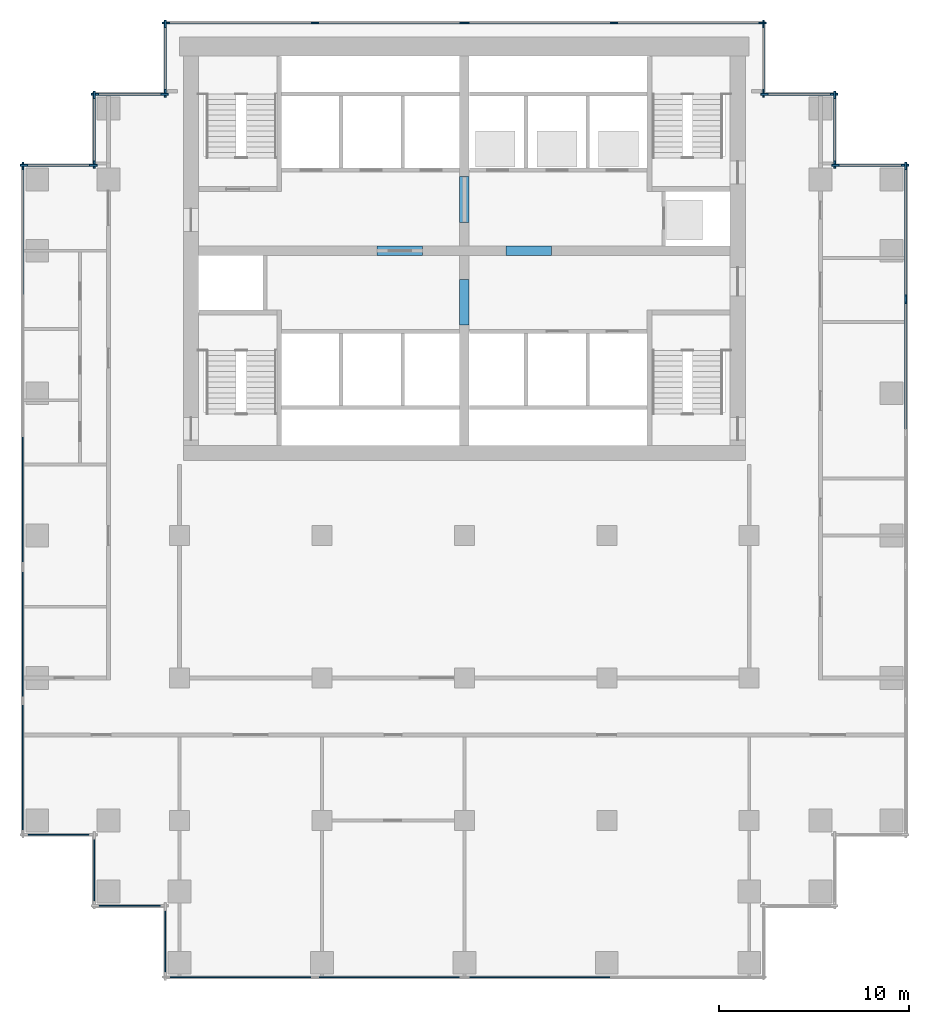
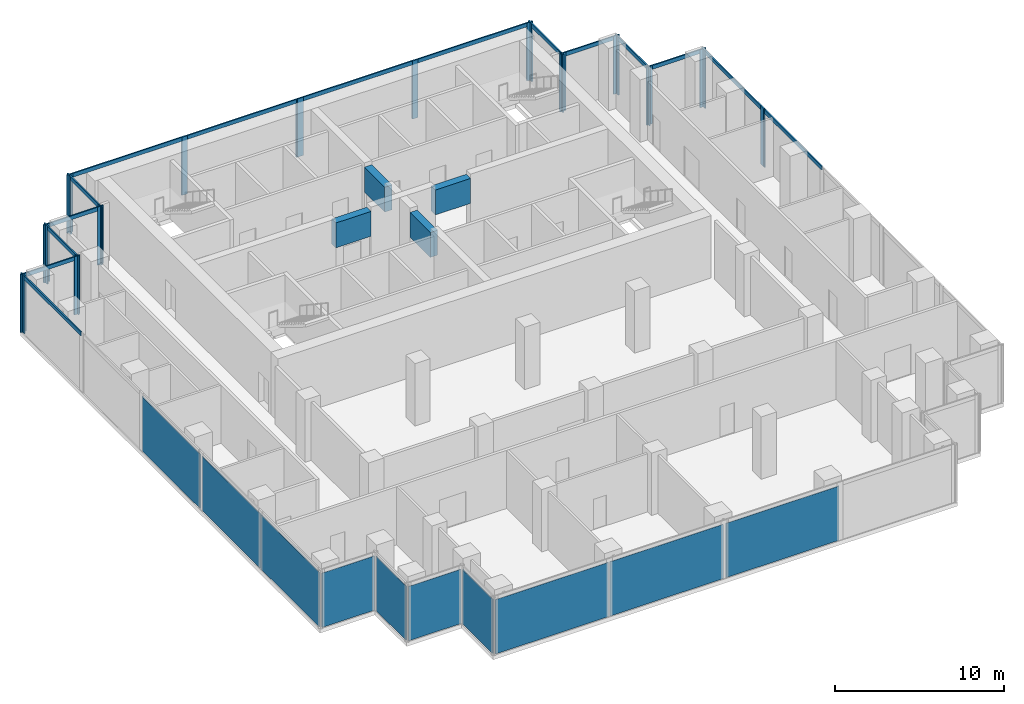
# One storey, part 2 of 8: 41 members, 10 plates, 4 beams, 21 elements without a shape of their own.
"""IFC4 building model written with IfcOpenShell, lengths in metres."""

from ifc_helpers import new_model, si_unit, direction, frame, origin, origin_2d, place, context, subcontext, project, spatial, rectangle, extrude, material, layer, layer_set, material_profile, profile_set, type_object, element, aggregate, save


model = new_model("IFC4")

# Units and contexts
model_context = context("Model", 3, precision=1e-05, world=origin(), true_north=direction((0.0, 1.0)))
body_context = subcontext(model_context, "Body", "Model", "MODEL_VIEW")
ifc_project = project(units=[si_unit("LENGTHUNIT", "METRE"), si_unit("AREAUNIT", "SQUARE_METRE"), si_unit("VOLUMEUNIT", "CUBIC_METRE"), si_unit("PLANEANGLEUNIT", "RADIAN"), si_unit("MASSUNIT", "GRAM", prefix="KILO")], contexts=[model_context])

# Site, building, storey
site_placement = place(None, origin())
site = spatial("IfcSite", under=ifc_project, at=site_placement, CompositionType="ELEMENT")
building_placement = place(site_placement, origin())
building = spatial("IfcBuilding", under=site, at=building_placement, Name="Pilkhan Gate Tower", CompositionType="ELEMENT")
storey_placement = place(building_placement, frame((0.0, 0.0, 143.199951171875)))
storey = spatial("IfcBuildingStorey", under=building, at=storey_placement, Name="L36", CompositionType="ELEMENT", Elevation=143.199951171875)

# Beams
ifc_material_1 = material(Name="Concrete C60/75", Category="concrete")
ifc_material_profile_1 = material_profile(ifc_material_1, rectangle(XDim=0.5, YDim=1.800048828125, at=origin_2d()), Name="RC 500x1800")
ifc_profile_set_1 = profile_set([ifc_material_profile_1], Name="Concrete C60/75")
beam_type = type_object("IfcBeamType", Name="Coupling beam CB180 RC 500x1800 C60/75", PredefinedType="LINTEL", material=ifc_profile_set_1)
for number, where, z_axis, x_axis, name in (
    (1, (70.39990234375, 82.5, 3.300048828125), (1.0, 0.0, 0.0), (0.0, 1.0, 0.0), "Coupling beam 1 L36"),
    (2, (77.199951171875, 82.5, 3.300048828125), (1.0, 0.0, 0.0), (0.0, 1.0, 0.0), "Coupling beam 2 L36"),
):
    element("IfcBeam", number, at=place(storey_placement, frame(where, z_axis=z_axis, x_axis=x_axis)), inside=storey, type_object=beam_type, Name=name, PredefinedType="LINTEL", context=body_context, shape_type="SweptSolid", body=[
        extrude(rectangle(XDim=0.5, YDim=1.800048828125, at=origin_2d()), origin(), (0.0, 0.0, 1.0), 2.400146484375),
    ])
for number, where, z_axis, x_axis, name in (
    (3, (75.0, 78.60009765625, 3.300048828125), (0.0, 1.0, 0.0), (-1.0, 0.0, 0.0), "Coupling beam 3 L36"),
    (4, (75.0, 84.0, 3.300048828125), (0.0, 1.0, 0.0), (-1.0, 0.0, 0.0), "Coupling beam 4 L36"),
):
    element("IfcBeam", number, at=place(storey_placement, frame(where, z_axis=z_axis, x_axis=x_axis)), inside=storey, type_object=beam_type, Name=name, PredefinedType="LINTEL", context=body_context, shape_type="SweptSolid", body=[
        extrude(rectangle(XDim=0.5, YDim=1.800048828125, at=origin_2d()), origin(), (0.0, 0.0, 1.0), 2.39990234375),
    ])

# Curtain wall, member
ifc_material_2 = material(Name="Pale anodised aluminium, clear low-iron laminated glazing", Category="aluminium")
curtain_wall_type = type_object("IfcCurtainWallType", Name="Sky lobby and deck curtain wall CW-S", PredefinedType="USERDEFINED", material=ifc_material_2)
curtain_wall_1_placement = place(storey_placement, origin())
curtain_wall_1 = element("IfcCurtainWall", 5, at=curtain_wall_1_placement, inside=storey, type_object=curtain_wall_type, Name="Sky lobby and deck curtain wall CW-S L36 E", ObjectType="UNITISED CURTAIN WALL", PredefinedType="USERDEFINED")
ifc_material_3 = material(Name="Pale anodised aluminium", Category="aluminium")
ifc_material_profile_2 = material_profile(ifc_material_3, rectangle(XDim=0.090087890625, YDim=0.39990234375, at=origin_2d()), Name="Mullion 400x90")
ifc_profile_set_2 = profile_set([ifc_material_profile_2], Name="Pale anodised aluminium")
member_type_1 = type_object("IfcMemberType", Name="Mullion CW-S 400x90", PredefinedType="MULLION", material=ifc_profile_set_2)
member_1_placement = place(storey_placement, frame((98.25, 79.905029296875, 0.0), z_axis=(0.0, 0.0, 1.0), x_axis=(-1.0, 0.0, 0.0)))
member_1 = element("IfcMember", 6, at=member_1_placement, type_object=member_type_1, Name="CW-S mullion 3", PredefinedType="MULLION", context=body_context, shape_type="SweptSolid", body=[
    extrude(rectangle(XDim=0.090087890625, YDim=0.39990234375, at=origin_2d()), origin(), (0.0, 0.0, 1.0), 4.199951171875),
])

# Curtain wall, members
curtain_wall_2_placement = place(storey_placement, origin())
curtain_wall_2 = element("IfcCurtainWall", 7, at=curtain_wall_2_placement, inside=storey, type_object=curtain_wall_type, Name="Sky lobby and deck curtain wall CW-S L36 E", ObjectType="UNITISED CURTAIN WALL", PredefinedType="USERDEFINED")
member_2_placement = place(storey_placement, frame((98.25, 79.9951171875, 0.0), z_axis=(0.0, 0.0, 1.0), x_axis=(-1.0, 0.0, 0.0)))
member_2 = element("IfcMember", 8, at=member_2_placement, type_object=member_type_1, Name="CW-S mullion 1", PredefinedType="MULLION", context=body_context, shape_type="SweptSolid", body=[
    extrude(rectangle(XDim=0.090087890625, YDim=0.39990234375, at=origin_2d()), origin(), (0.0, 0.0, 1.0), 4.199951171875),
])
member_3_placement = place(storey_placement, frame((98.25, 86.955078125, 0.0), z_axis=(0.0, 0.0, 1.0), x_axis=(-1.0, 0.0, 0.0)))
member_3 = element("IfcMember", 9, at=member_3_placement, type_object=member_type_1, Name="CW-S mullion 2", PredefinedType="MULLION", context=body_context, shape_type="SweptSolid", body=[
    extrude(rectangle(XDim=0.090087890625, YDim=0.39990234375, at=origin_2d()), origin(), (0.0, 0.0, 1.0), 4.199951171875),
])

curtain_wall_3_placement = place(storey_placement, origin())
curtain_wall_3 = element("IfcCurtainWall", 10, at=curtain_wall_3_placement, inside=storey, type_object=curtain_wall_type, Name="Sky lobby and deck curtain wall CW-S L36 N", ObjectType="UNITISED CURTAIN WALL", PredefinedType="USERDEFINED")
member_4_placement = place(storey_placement, frame((94.544921875, 87.0, 0.0), z_axis=(0.0, 0.0, 1.0), x_axis=(0.0, 1.0, 0.0)))
member_4 = element("IfcMember", 11, at=member_4_placement, type_object=member_type_1, Name="CW-S mullion 1", PredefinedType="MULLION", context=body_context, shape_type="SweptSolid", body=[
    extrude(rectangle(XDim=0.090087890625, YDim=0.39990234375, at=origin_2d()), origin(), (0.0, 0.0, 1.0), 4.199951171875),
])
member_5_placement = place(storey_placement, frame((98.205078125, 87.0, 0.0), z_axis=(0.0, 0.0, 1.0), x_axis=(0.0, 1.0, 0.0)))
member_5 = element("IfcMember", 12, at=member_5_placement, type_object=member_type_1, Name="CW-S mullion 2", PredefinedType="MULLION", context=body_context, shape_type="SweptSolid", body=[
    extrude(rectangle(XDim=0.090087890625, YDim=0.39990234375, at=origin_2d()), origin(), (0.0, 0.0, 1.0), 4.199951171875),
])

curtain_wall_4_placement = place(storey_placement, origin())
curtain_wall_4 = element("IfcCurtainWall", 13, at=curtain_wall_4_placement, inside=storey, type_object=curtain_wall_type, Name="Sky lobby and deck curtain wall CW-S L36 E", ObjectType="UNITISED CURTAIN WALL", PredefinedType="USERDEFINED")
member_6_placement = place(storey_placement, frame((94.5, 87.044921875, 0.0), z_axis=(0.0, 0.0, 1.0), x_axis=(-1.0, 0.0, 0.0)))
member_6 = element("IfcMember", 14, at=member_6_placement, type_object=member_type_1, Name="CW-S mullion 1", PredefinedType="MULLION", context=body_context, shape_type="SweptSolid", body=[
    extrude(rectangle(XDim=0.090087890625, YDim=0.39990234375, at=origin_2d()), origin(), (0.0, 0.0, 1.0), 4.199951171875),
])
member_7_placement = place(storey_placement, frame((94.5, 90.705078125, 0.0), z_axis=(0.0, 0.0, 1.0), x_axis=(-1.0, 0.0, 0.0)))
member_7 = element("IfcMember", 15, at=member_7_placement, type_object=member_type_1, Name="CW-S mullion 2", PredefinedType="MULLION", context=body_context, shape_type="SweptSolid", body=[
    extrude(rectangle(XDim=0.090087890625, YDim=0.39990234375, at=origin_2d()), origin(), (0.0, 0.0, 1.0), 4.199951171875),
])

curtain_wall_5_placement = place(storey_placement, origin())
curtain_wall_5 = element("IfcCurtainWall", 16, at=curtain_wall_5_placement, inside=storey, type_object=curtain_wall_type, Name="Sky lobby and deck curtain wall CW-S L36 N", ObjectType="UNITISED CURTAIN WALL", PredefinedType="USERDEFINED")
member_8_placement = place(storey_placement, frame((90.794921875, 90.75, 0.0), z_axis=(0.0, 0.0, 1.0), x_axis=(0.0, 1.0, 0.0)))
member_8 = element("IfcMember", 17, at=member_8_placement, type_object=member_type_1, Name="CW-S mullion 1", PredefinedType="MULLION", context=body_context, shape_type="SweptSolid", body=[
    extrude(rectangle(XDim=0.090087890625, YDim=0.39990234375, at=origin_2d()), origin(), (0.0, 0.0, 1.0), 4.199951171875),
])
member_9_placement = place(storey_placement, frame((94.455078125, 90.75, 0.0), z_axis=(0.0, 0.0, 1.0), x_axis=(0.0, 1.0, 0.0)))
member_9 = element("IfcMember", 18, at=member_9_placement, type_object=member_type_1, Name="CW-S mullion 2", PredefinedType="MULLION", context=body_context, shape_type="SweptSolid", body=[
    extrude(rectangle(XDim=0.090087890625, YDim=0.39990234375, at=origin_2d()), origin(), (0.0, 0.0, 1.0), 4.199951171875),
])

curtain_wall_6_placement = place(storey_placement, origin())
curtain_wall_6 = element("IfcCurtainWall", 19, at=curtain_wall_6_placement, inside=storey, type_object=curtain_wall_type, Name="Sky lobby and deck curtain wall CW-S L36 E", ObjectType="UNITISED CURTAIN WALL", PredefinedType="USERDEFINED")
member_10_placement = place(storey_placement, frame((90.75, 90.794921875, 0.0), z_axis=(0.0, 0.0, 1.0), x_axis=(-1.0, 0.0, 0.0)))
member_10 = element("IfcMember", 20, at=member_10_placement, type_object=member_type_1, Name="CW-S mullion 1", PredefinedType="MULLION", context=body_context, shape_type="SweptSolid", body=[
    extrude(rectangle(XDim=0.090087890625, YDim=0.39990234375, at=origin_2d()), origin(), (0.0, 0.0, 1.0), 4.199951171875),
])
member_11_placement = place(storey_placement, frame((90.75, 94.455078125, 0.0), z_axis=(0.0, 0.0, 1.0), x_axis=(-1.0, 0.0, 0.0)))
member_11 = element("IfcMember", 21, at=member_11_placement, type_object=member_type_1, Name="CW-S mullion 2", PredefinedType="MULLION", context=body_context, shape_type="SweptSolid", body=[
    extrude(rectangle(XDim=0.090087890625, YDim=0.39990234375, at=origin_2d()), origin(), (0.0, 0.0, 1.0), 4.199951171875),
])

curtain_wall_7_placement = place(storey_placement, origin())
curtain_wall_7 = element("IfcCurtainWall", 22, at=curtain_wall_7_placement, inside=storey, type_object=curtain_wall_type, Name="Sky lobby and deck curtain wall CW-S L36 N", ObjectType="UNITISED CURTAIN WALL", PredefinedType="USERDEFINED")
member_12_placement = place(storey_placement, frame((59.294921875, 94.5, 0.0), z_axis=(0.0, 0.0, 1.0), x_axis=(0.0, 1.0, 0.0)))
member_12 = element("IfcMember", 23, at=member_12_placement, type_object=member_type_1, Name="CW-S mullion 1", PredefinedType="MULLION", context=body_context, shape_type="SweptSolid", body=[
    extrude(rectangle(XDim=0.090087890625, YDim=0.39990234375, at=origin_2d()), origin(), (0.0, 0.0, 1.0), 4.199951171875),
])
member_13_placement = place(storey_placement, frame((67.125, 94.5, 0.0), z_axis=(0.0, 0.0, 1.0), x_axis=(0.0, 1.0, 0.0)))
member_13 = element("IfcMember", 24, at=member_13_placement, type_object=member_type_1, Name="CW-S mullion 2", PredefinedType="MULLION", context=body_context, shape_type="SweptSolid", body=[
    extrude(rectangle(XDim=0.090087890625, YDim=0.39990234375, at=origin_2d()), origin(), (0.0, 0.0, 1.0), 4.199951171875),
])
member_14_placement = place(storey_placement, frame((74.955078125, 94.5, 0.0), z_axis=(0.0, 0.0, 1.0), x_axis=(0.0, 1.0, 0.0)))
member_14 = element("IfcMember", 25, at=member_14_placement, type_object=member_type_1, Name="CW-S mullion 3", PredefinedType="MULLION", context=body_context, shape_type="SweptSolid", body=[
    extrude(rectangle(XDim=0.090087890625, YDim=0.39990234375, at=origin_2d()), origin(), (0.0, 0.0, 1.0), 4.199951171875),
])

curtain_wall_8_placement = place(storey_placement, origin())
curtain_wall_8 = element("IfcCurtainWall", 26, at=curtain_wall_8_placement, inside=storey, type_object=curtain_wall_type, Name="Sky lobby and deck curtain wall CW-S L36 N", ObjectType="UNITISED CURTAIN WALL", PredefinedType="USERDEFINED")
member_15_placement = place(storey_placement, frame((75.044921875, 94.5, 0.0), z_axis=(0.0, 0.0, 1.0), x_axis=(0.0, 1.0, 0.0)))
member_15 = element("IfcMember", 27, at=member_15_placement, type_object=member_type_1, Name="CW-S mullion 1", PredefinedType="MULLION", context=body_context, shape_type="SweptSolid", body=[
    extrude(rectangle(XDim=0.090087890625, YDim=0.39990234375, at=origin_2d()), origin(), (0.0, 0.0, 1.0), 4.199951171875),
])
member_16_placement = place(storey_placement, frame((82.875, 94.5, 0.0), z_axis=(0.0, 0.0, 1.0), x_axis=(0.0, 1.0, 0.0)))
member_16 = element("IfcMember", 28, at=member_16_placement, type_object=member_type_1, Name="CW-S mullion 2", PredefinedType="MULLION", context=body_context, shape_type="SweptSolid", body=[
    extrude(rectangle(XDim=0.090087890625, YDim=0.39990234375, at=origin_2d()), origin(), (0.0, 0.0, 1.0), 4.199951171875),
])
member_17_placement = place(storey_placement, frame((90.705078125, 94.5, 0.0), z_axis=(0.0, 0.0, 1.0), x_axis=(0.0, 1.0, 0.0)))
member_17 = element("IfcMember", 29, at=member_17_placement, type_object=member_type_1, Name="CW-S mullion 3", PredefinedType="MULLION", context=body_context, shape_type="SweptSolid", body=[
    extrude(rectangle(XDim=0.090087890625, YDim=0.39990234375, at=origin_2d()), origin(), (0.0, 0.0, 1.0), 4.199951171875),
])

curtain_wall_9_placement = place(storey_placement, origin())
curtain_wall_9 = element("IfcCurtainWall", 30, at=curtain_wall_9_placement, inside=storey, type_object=curtain_wall_type, Name="Sky lobby and deck curtain wall CW-S L36 W", ObjectType="UNITISED CURTAIN WALL", PredefinedType="USERDEFINED")
member_18_placement = place(storey_placement, frame((59.25, 90.794921875, 0.0), z_axis=(0.0, 0.0, 1.0), x_axis=(-1.0, 0.0, 0.0)))
member_18 = element("IfcMember", 31, at=member_18_placement, type_object=member_type_1, Name="CW-S mullion 1", PredefinedType="MULLION", context=body_context, shape_type="SweptSolid", body=[
    extrude(rectangle(XDim=0.090087890625, YDim=0.39990234375, at=origin_2d()), origin(), (0.0, 0.0, 1.0), 4.199951171875),
])
member_19_placement = place(storey_placement, frame((59.25, 94.455078125, 0.0), z_axis=(0.0, 0.0, 1.0), x_axis=(-1.0, 0.0, 0.0)))
member_19 = element("IfcMember", 32, at=member_19_placement, type_object=member_type_1, Name="CW-S mullion 2", PredefinedType="MULLION", context=body_context, shape_type="SweptSolid", body=[
    extrude(rectangle(XDim=0.090087890625, YDim=0.39990234375, at=origin_2d()), origin(), (0.0, 0.0, 1.0), 4.199951171875),
])

curtain_wall_10_placement = place(storey_placement, origin())
curtain_wall_10 = element("IfcCurtainWall", 33, at=curtain_wall_10_placement, inside=storey, type_object=curtain_wall_type, Name="Sky lobby and deck curtain wall CW-S L36 N", ObjectType="UNITISED CURTAIN WALL", PredefinedType="USERDEFINED")
member_20_placement = place(storey_placement, frame((55.544921875, 90.75, 0.0), z_axis=(0.0, 0.0, 1.0), x_axis=(0.0, 1.0, 0.0)))
member_20 = element("IfcMember", 34, at=member_20_placement, type_object=member_type_1, Name="CW-S mullion 1", PredefinedType="MULLION", context=body_context, shape_type="SweptSolid", body=[
    extrude(rectangle(XDim=0.090087890625, YDim=0.39990234375, at=origin_2d()), origin(), (0.0, 0.0, 1.0), 4.199951171875),
])
member_21_placement = place(storey_placement, frame((59.205078125, 90.75, 0.0), z_axis=(0.0, 0.0, 1.0), x_axis=(0.0, 1.0, 0.0)))
member_21 = element("IfcMember", 35, at=member_21_placement, type_object=member_type_1, Name="CW-S mullion 2", PredefinedType="MULLION", context=body_context, shape_type="SweptSolid", body=[
    extrude(rectangle(XDim=0.090087890625, YDim=0.39990234375, at=origin_2d()), origin(), (0.0, 0.0, 1.0), 4.199951171875),
])

curtain_wall_11_placement = place(storey_placement, origin())
curtain_wall_11 = element("IfcCurtainWall", 36, at=curtain_wall_11_placement, inside=storey, type_object=curtain_wall_type, Name="Sky lobby and deck curtain wall CW-S L36 W", ObjectType="UNITISED CURTAIN WALL", PredefinedType="USERDEFINED")
member_22_placement = place(storey_placement, frame((55.5, 87.044921875, 0.0), z_axis=(0.0, 0.0, 1.0), x_axis=(-1.0, 0.0, 0.0)))
member_22 = element("IfcMember", 37, at=member_22_placement, type_object=member_type_1, Name="CW-S mullion 1", PredefinedType="MULLION", context=body_context, shape_type="SweptSolid", body=[
    extrude(rectangle(XDim=0.090087890625, YDim=0.39990234375, at=origin_2d()), origin(), (0.0, 0.0, 1.0), 4.199951171875),
])
member_23_placement = place(storey_placement, frame((55.5, 90.705078125, 0.0), z_axis=(0.0, 0.0, 1.0), x_axis=(-1.0, 0.0, 0.0)))
member_23 = element("IfcMember", 38, at=member_23_placement, type_object=member_type_1, Name="CW-S mullion 2", PredefinedType="MULLION", context=body_context, shape_type="SweptSolid", body=[
    extrude(rectangle(XDim=0.090087890625, YDim=0.39990234375, at=origin_2d()), origin(), (0.0, 0.0, 1.0), 4.199951171875),
])

curtain_wall_12_placement = place(storey_placement, origin())
curtain_wall_12 = element("IfcCurtainWall", 39, at=curtain_wall_12_placement, inside=storey, type_object=curtain_wall_type, Name="Sky lobby and deck curtain wall CW-S L36 N", ObjectType="UNITISED CURTAIN WALL", PredefinedType="USERDEFINED")
member_24_placement = place(storey_placement, frame((51.794921875, 87.0, 0.0), z_axis=(0.0, 0.0, 1.0), x_axis=(0.0, 1.0, 0.0)))
member_24 = element("IfcMember", 40, at=member_24_placement, type_object=member_type_1, Name="CW-S mullion 1", PredefinedType="MULLION", context=body_context, shape_type="SweptSolid", body=[
    extrude(rectangle(XDim=0.090087890625, YDim=0.39990234375, at=origin_2d()), origin(), (0.0, 0.0, 1.0), 4.199951171875),
])
member_25_placement = place(storey_placement, frame((55.455078125, 87.0, 0.0), z_axis=(0.0, 0.0, 1.0), x_axis=(0.0, 1.0, 0.0)))
member_25 = element("IfcMember", 41, at=member_25_placement, type_object=member_type_1, Name="CW-S mullion 2", PredefinedType="MULLION", context=body_context, shape_type="SweptSolid", body=[
    extrude(rectangle(XDim=0.090087890625, YDim=0.39990234375, at=origin_2d()), origin(), (0.0, 0.0, 1.0), 4.199951171875),
])

# Curtain wall, member
curtain_wall_13_placement = place(storey_placement, origin())
curtain_wall_13 = element("IfcCurtainWall", 42, at=curtain_wall_13_placement, inside=storey, type_object=curtain_wall_type, Name="Sky lobby and deck curtain wall CW-S L36 W", ObjectType="UNITISED CURTAIN WALL", PredefinedType="USERDEFINED")
member_26_placement = place(storey_placement, frame((51.75, 86.955078125, 0.0), z_axis=(0.0, 0.0, 1.0), x_axis=(-1.0, 0.0, 0.0)))
member_26 = element("IfcMember", 43, at=member_26_placement, type_object=member_type_1, Name="CW-S mullion 2", PredefinedType="MULLION", context=body_context, shape_type="SweptSolid", body=[
    extrude(rectangle(XDim=0.090087890625, YDim=0.39990234375, at=origin_2d()), origin(), (0.0, 0.0, 1.0), 4.199951171875),
])

# Member
ifc_material_profile_3 = material_profile(ifc_material_3, rectangle(XDim=0.090087890625, YDim=0.280029296875, at=origin_2d()), Name="Transom 280x90")
ifc_profile_set_3 = profile_set([ifc_material_profile_3], Name="Pale anodised aluminium")
member_type_2 = type_object("IfcMemberType", Name="Transom CW-S 280x90", PredefinedType="USERDEFINED", material=ifc_profile_set_3)
member_27_placement = place(storey_placement, frame((98.25, 72.945068359375, 4.06005859375), z_axis=(0.0, 1.0, 0.0), x_axis=(-1.0, 0.0, 0.0)))
member_27 = element("IfcMember", 44, at=member_27_placement, type_object=member_type_2, Name="CW-S transom 2", ObjectType="TRANSOM", PredefinedType="USERDEFINED", context=body_context, shape_type="SweptSolid", body=[
    extrude(rectangle(XDim=0.090087890625, YDim=0.280029296875, at=origin_2d()), origin(), (0.0, 0.0, 1.0), 6.9150390625),
])

aggregate(curtain_wall_1, [member_1, member_27])

member_28_placement = place(storey_placement, frame((98.25, 80.0400390625, 4.06005859375), z_axis=(0.0, 1.0, 0.0), x_axis=(-1.0, 0.0, 0.0)))
member_28 = element("IfcMember", 45, at=member_28_placement, type_object=member_type_2, Name="CW-S transom 1", ObjectType="TRANSOM", PredefinedType="USERDEFINED", context=body_context, shape_type="SweptSolid", body=[
    extrude(rectangle(XDim=0.090087890625, YDim=0.280029296875, at=origin_2d()), origin(), (0.0, 0.0, 1.0), 6.869873046875),
])

aggregate(curtain_wall_2, [member_2, member_3, member_28])

member_29_placement = place(storey_placement, frame((94.590087890625, 87.0, 4.06005859375), z_axis=(1.0, 0.0, 0.0), x_axis=(0.0, 1.0, 0.0)))
member_29 = element("IfcMember", 46, at=member_29_placement, type_object=member_type_2, Name="CW-S transom 1", ObjectType="TRANSOM", PredefinedType="USERDEFINED", context=body_context, shape_type="SweptSolid", body=[
    extrude(rectangle(XDim=0.090087890625, YDim=0.280029296875, at=origin_2d()), origin(), (0.0, 0.0, 1.0), 3.56982421875),
])

aggregate(curtain_wall_3, [member_4, member_5, member_29])

member_30_placement = place(storey_placement, frame((94.5, 87.090087890625, 4.06005859375), z_axis=(0.0, 1.0, 0.0), x_axis=(-1.0, 0.0, 0.0)))
member_30 = element("IfcMember", 47, at=member_30_placement, type_object=member_type_2, Name="CW-S transom 1", ObjectType="TRANSOM", PredefinedType="USERDEFINED", context=body_context, shape_type="SweptSolid", body=[
    extrude(rectangle(XDim=0.090087890625, YDim=0.280029296875, at=origin_2d()), origin(), (0.0, 0.0, 1.0), 3.56982421875),
])

aggregate(curtain_wall_4, [member_6, member_7, member_30])

member_31_placement = place(storey_placement, frame((90.840087890625, 90.75, 4.06005859375), z_axis=(1.0, 0.0, 0.0), x_axis=(0.0, 1.0, 0.0)))
member_31 = element("IfcMember", 48, at=member_31_placement, type_object=member_type_2, Name="CW-S transom 1", ObjectType="TRANSOM", PredefinedType="USERDEFINED", context=body_context, shape_type="SweptSolid", body=[
    extrude(rectangle(XDim=0.090087890625, YDim=0.280029296875, at=origin_2d()), origin(), (0.0, 0.0, 1.0), 3.56982421875),
])

aggregate(curtain_wall_5, [member_8, member_9, member_31])

member_32_placement = place(storey_placement, frame((90.75, 90.840087890625, 4.06005859375), z_axis=(0.0, 1.0, 0.0), x_axis=(-1.0, 0.0, 0.0)))
member_32 = element("IfcMember", 49, at=member_32_placement, type_object=member_type_2, Name="CW-S transom 1", ObjectType="TRANSOM", PredefinedType="USERDEFINED", context=body_context, shape_type="SweptSolid", body=[
    extrude(rectangle(XDim=0.090087890625, YDim=0.280029296875, at=origin_2d()), origin(), (0.0, 0.0, 1.0), 3.56982421875),
])

aggregate(curtain_wall_6, [member_10, member_11, member_32])

member_33_placement = place(storey_placement, frame((59.340087890625, 94.5, 4.06005859375), z_axis=(1.0, 0.0, 0.0), x_axis=(0.0, 1.0, 0.0)))
member_33 = element("IfcMember", 50, at=member_33_placement, type_object=member_type_2, Name="CW-S transom 1", ObjectType="TRANSOM", PredefinedType="USERDEFINED", context=body_context, shape_type="SweptSolid", body=[
    extrude(rectangle(XDim=0.090087890625, YDim=0.280029296875, at=origin_2d()), origin(), (0.0, 0.0, 1.0), 7.739990234375),
])

member_34_placement = place(storey_placement, frame((67.169921875, 94.5, 4.06005859375), z_axis=(1.0, 0.0, 0.0), x_axis=(0.0, 1.0, 0.0)))
member_34 = element("IfcMember", 51, at=member_34_placement, type_object=member_type_2, Name="CW-S transom 2", ObjectType="TRANSOM", PredefinedType="USERDEFINED", context=body_context, shape_type="SweptSolid", body=[
    extrude(rectangle(XDim=0.090087890625, YDim=0.280029296875, at=origin_2d()), origin(), (0.0, 0.0, 1.0), 7.739990234375),
])

aggregate(curtain_wall_7, [member_12, member_13, member_14, member_33, member_34])

member_35_placement = place(storey_placement, frame((75.090087890625, 94.5, 4.06005859375), z_axis=(1.0, 0.0, 0.0), x_axis=(0.0, 1.0, 0.0)))
member_35 = element("IfcMember", 52, at=member_35_placement, type_object=member_type_2, Name="CW-S transom 1", ObjectType="TRANSOM", PredefinedType="USERDEFINED", context=body_context, shape_type="SweptSolid", body=[
    extrude(rectangle(XDim=0.090087890625, YDim=0.280029296875, at=origin_2d()), origin(), (0.0, 0.0, 1.0), 7.739990234375),
])

member_36_placement = place(storey_placement, frame((82.919921875, 94.5, 4.06005859375), z_axis=(1.0, 0.0, 0.0), x_axis=(0.0, 1.0, 0.0)))
member_36 = element("IfcMember", 53, at=member_36_placement, type_object=member_type_2, Name="CW-S transom 2", ObjectType="TRANSOM", PredefinedType="USERDEFINED", context=body_context, shape_type="SweptSolid", body=[
    extrude(rectangle(XDim=0.090087890625, YDim=0.280029296875, at=origin_2d()), origin(), (0.0, 0.0, 1.0), 7.739990234375),
])

aggregate(curtain_wall_8, [member_15, member_16, member_17, member_35, member_36])

member_37_placement = place(storey_placement, frame((59.25, 90.840087890625, 4.06005859375), z_axis=(0.0, 1.0, 0.0), x_axis=(-1.0, 0.0, 0.0)))
member_37 = element("IfcMember", 54, at=member_37_placement, type_object=member_type_2, Name="CW-S transom 1", ObjectType="TRANSOM", PredefinedType="USERDEFINED", context=body_context, shape_type="SweptSolid", body=[
    extrude(rectangle(XDim=0.090087890625, YDim=0.280029296875, at=origin_2d()), origin(), (0.0, 0.0, 1.0), 3.56982421875),
])

aggregate(curtain_wall_9, [member_18, member_19, member_37])

member_38_placement = place(storey_placement, frame((55.590087890625, 90.75, 4.06005859375), z_axis=(1.0, 0.0, 0.0), x_axis=(0.0, 1.0, 0.0)))
member_38 = element("IfcMember", 55, at=member_38_placement, type_object=member_type_2, Name="CW-S transom 1", ObjectType="TRANSOM", PredefinedType="USERDEFINED", context=body_context, shape_type="SweptSolid", body=[
    extrude(rectangle(XDim=0.090087890625, YDim=0.280029296875, at=origin_2d()), origin(), (0.0, 0.0, 1.0), 3.56982421875),
])

aggregate(curtain_wall_10, [member_20, member_21, member_38])

member_39_placement = place(storey_placement, frame((55.5, 87.090087890625, 4.06005859375), z_axis=(0.0, 1.0, 0.0), x_axis=(-1.0, 0.0, 0.0)))
member_39 = element("IfcMember", 56, at=member_39_placement, type_object=member_type_2, Name="CW-S transom 1", ObjectType="TRANSOM", PredefinedType="USERDEFINED", context=body_context, shape_type="SweptSolid", body=[
    extrude(rectangle(XDim=0.090087890625, YDim=0.280029296875, at=origin_2d()), origin(), (0.0, 0.0, 1.0), 3.56982421875),
])

aggregate(curtain_wall_11, [member_22, member_23, member_39])

member_40_placement = place(storey_placement, frame((51.840087890625, 87.0, 4.06005859375), z_axis=(1.0, 0.0, 0.0), x_axis=(0.0, 1.0, 0.0)))
member_40 = element("IfcMember", 57, at=member_40_placement, type_object=member_type_2, Name="CW-S transom 1", ObjectType="TRANSOM", PredefinedType="USERDEFINED", context=body_context, shape_type="SweptSolid", body=[
    extrude(rectangle(XDim=0.090087890625, YDim=0.280029296875, at=origin_2d()), origin(), (0.0, 0.0, 1.0), 3.56982421875),
])

aggregate(curtain_wall_12, [member_24, member_25, member_40])

member_41_placement = place(storey_placement, frame((51.75, 80.0400390625, 4.06005859375), z_axis=(0.0, 1.0, 0.0), x_axis=(-1.0, 0.0, 0.0)))
member_41 = element("IfcMember", 58, at=member_41_placement, type_object=member_type_2, Name="CW-S transom 1", ObjectType="TRANSOM", PredefinedType="USERDEFINED", context=body_context, shape_type="SweptSolid", body=[
    extrude(rectangle(XDim=0.090087890625, YDim=0.280029296875, at=origin_2d()), origin(), (0.0, 0.0, 1.0), 6.869873046875),
])

aggregate(curtain_wall_13, [member_26, member_41])

# Curtain wall, plates
curtain_wall_14_placement = place(storey_placement, origin())
curtain_wall_14 = element("IfcCurtainWall", 59, at=curtain_wall_14_placement, inside=storey, type_object=curtain_wall_type, Name="Sky lobby and deck curtain wall CW-S L36 W", ObjectType="UNITISED CURTAIN WALL", PredefinedType="USERDEFINED")
ifc_material_4 = material(Name="Clear low-iron laminated glazing", Category="glass")
ifc_layer = layer(ifc_material_4, 0.055908203125)
ifc_layer_set = layer_set([ifc_layer], Name="Glass panel CW-S 56")
plate_type = type_object("IfcPlateType", Name="Glass panel CW-S 56", PredefinedType="CURTAIN_PANEL", material=ifc_layer_set)
plate_1_placement = place(storey_placement, frame((51.75, 55.297607421875, 0.0), z_axis=(0.0, 0.0, 1.0), x_axis=(0.0, 1.0, 0.0)))
plate_1 = element("IfcPlate", 60, at=plate_1_placement, type_object=plate_type, Name="CW-S panel 1", PredefinedType="CURTAIN_PANEL", context=body_context, shape_type="SweptSolid", body=[
    extrude(rectangle(XDim=6.9150390625, YDim=0.055908203125, at=origin_2d()), origin(), (0.0, 0.0, 1.0), 3.919921875),
])
plate_2_placement = place(storey_placement, frame((51.75, 62.302490234375, 0.0), z_axis=(0.0, 0.0, 1.0), x_axis=(0.0, 1.0, 0.0)))
plate_2 = element("IfcPlate", 61, at=plate_2_placement, type_object=plate_type, Name="CW-S panel 2", PredefinedType="CURTAIN_PANEL", context=body_context, shape_type="SweptSolid", body=[
    extrude(rectangle(XDim=6.9150390625, YDim=0.055908203125, at=origin_2d()), origin(), (0.0, 0.0, 1.0), 3.919921875),
])
aggregate(curtain_wall_14, [plate_1, plate_2])

# Curtain wall, plate
curtain_wall_15_placement = place(storey_placement, origin())
curtain_wall_15 = element("IfcCurtainWall", 62, at=curtain_wall_15_placement, inside=storey, type_object=curtain_wall_type, Name="Sky lobby and deck curtain wall CW-S L36 W", ObjectType="UNITISED CURTAIN WALL", PredefinedType="USERDEFINED")
plate_3_placement = place(storey_placement, frame((51.75, 69.3974609375, 0.0), z_axis=(0.0, 0.0, 1.0), x_axis=(0.0, 1.0, 0.0)))
plate_3 = element("IfcPlate", 63, at=plate_3_placement, type_object=plate_type, Name="CW-S panel 1", PredefinedType="CURTAIN_PANEL", context=body_context, shape_type="SweptSolid", body=[
    extrude(rectangle(XDim=6.9150390625, YDim=0.055908203125, at=origin_2d()), origin(), (0.0, 0.0, 1.0), 3.919921875),
])
aggregate(curtain_wall_15, [plate_3])

curtain_wall_16_placement = place(storey_placement, origin())
curtain_wall_16 = element("IfcCurtainWall", 64, at=curtain_wall_16_placement, inside=storey, type_object=curtain_wall_type, Name="Sky lobby and deck curtain wall CW-S L36 S", ObjectType="UNITISED CURTAIN WALL", PredefinedType="USERDEFINED")
plate_4_placement = place(storey_placement, frame((53.625, 51.75, 0.0), z_axis=(0.0, 0.0, 1.0), x_axis=(1.0, 0.0, 0.0)))
plate_4 = element("IfcPlate", 65, at=plate_4_placement, type_object=plate_type, Name="CW-S panel 1", PredefinedType="CURTAIN_PANEL", context=body_context, shape_type="SweptSolid", body=[
    extrude(rectangle(XDim=3.570068359375, YDim=0.055908203125, at=origin_2d()), origin(), (0.0, 0.0, 1.0), 3.919921875),
])
aggregate(curtain_wall_16, [plate_4])

curtain_wall_17_placement = place(storey_placement, origin())
curtain_wall_17 = element("IfcCurtainWall", 66, at=curtain_wall_17_placement, inside=storey, type_object=curtain_wall_type, Name="Sky lobby and deck curtain wall CW-S L36 W", ObjectType="UNITISED CURTAIN WALL", PredefinedType="USERDEFINED")
plate_5_placement = place(storey_placement, frame((55.5, 49.875, 0.0), z_axis=(0.0, 0.0, 1.0), x_axis=(0.0, 1.0, 0.0)))
plate_5 = element("IfcPlate", 67, at=plate_5_placement, type_object=plate_type, Name="CW-S panel 1", PredefinedType="CURTAIN_PANEL", context=body_context, shape_type="SweptSolid", body=[
    extrude(rectangle(XDim=3.570068359375, YDim=0.055908203125, at=origin_2d()), origin(), (0.0, 0.0, 1.0), 3.919921875),
])
aggregate(curtain_wall_17, [plate_5])

curtain_wall_18_placement = place(storey_placement, origin())
curtain_wall_18 = element("IfcCurtainWall", 68, at=curtain_wall_18_placement, inside=storey, type_object=curtain_wall_type, Name="Sky lobby and deck curtain wall CW-S L36 S", ObjectType="UNITISED CURTAIN WALL", PredefinedType="USERDEFINED")
plate_6_placement = place(storey_placement, frame((57.375, 48.0, 0.0), z_axis=(0.0, 0.0, 1.0), x_axis=(1.0, 0.0, 0.0)))
plate_6 = element("IfcPlate", 69, at=plate_6_placement, type_object=plate_type, Name="CW-S panel 1", PredefinedType="CURTAIN_PANEL", context=body_context, shape_type="SweptSolid", body=[
    extrude(rectangle(XDim=3.570068359375, YDim=0.055908203125, at=origin_2d()), origin(), (0.0, 0.0, 1.0), 3.919921875),
])
aggregate(curtain_wall_18, [plate_6])

curtain_wall_19_placement = place(storey_placement, origin())
curtain_wall_19 = element("IfcCurtainWall", 70, at=curtain_wall_19_placement, inside=storey, type_object=curtain_wall_type, Name="Sky lobby and deck curtain wall CW-S L36 W", ObjectType="UNITISED CURTAIN WALL", PredefinedType="USERDEFINED")
plate_7_placement = place(storey_placement, frame((59.25, 46.125, 0.0), z_axis=(0.0, 0.0, 1.0), x_axis=(0.0, 1.0, 0.0)))
plate_7 = element("IfcPlate", 71, at=plate_7_placement, type_object=plate_type, Name="CW-S panel 1", PredefinedType="CURTAIN_PANEL", context=body_context, shape_type="SweptSolid", body=[
    extrude(rectangle(XDim=3.570068359375, YDim=0.055908203125, at=origin_2d()), origin(), (0.0, 0.0, 1.0), 3.919921875),
])
aggregate(curtain_wall_19, [plate_7])

# Curtain wall, plates
curtain_wall_20_placement = place(storey_placement, origin())
curtain_wall_20 = element("IfcCurtainWall", 72, at=curtain_wall_20_placement, inside=storey, type_object=curtain_wall_type, Name="Sky lobby and deck curtain wall CW-S L36 S", ObjectType="UNITISED CURTAIN WALL", PredefinedType="USERDEFINED")
plate_8_placement = place(storey_placement, frame((63.2099609375, 44.25, 0.0), z_axis=(0.0, 0.0, 1.0), x_axis=(1.0, 0.0, 0.0)))
plate_8 = element("IfcPlate", 73, at=plate_8_placement, type_object=plate_type, Name="CW-S panel 1", PredefinedType="CURTAIN_PANEL", context=body_context, shape_type="SweptSolid", body=[
    extrude(rectangle(XDim=7.739990234375, YDim=0.055908203125, at=origin_2d()), origin(), (0.0, 0.0, 1.0), 3.919921875),
])
plate_9_placement = place(storey_placement, frame((71.0400390625, 44.25, 0.0), z_axis=(0.0, 0.0, 1.0), x_axis=(1.0, 0.0, 0.0)))
plate_9 = element("IfcPlate", 74, at=plate_9_placement, type_object=plate_type, Name="CW-S panel 2", PredefinedType="CURTAIN_PANEL", context=body_context, shape_type="SweptSolid", body=[
    extrude(rectangle(XDim=7.739990234375, YDim=0.055908203125, at=origin_2d()), origin(), (0.0, 0.0, 1.0), 3.919921875),
])
aggregate(curtain_wall_20, [plate_8, plate_9])

# Curtain wall, plate
curtain_wall_21_placement = place(storey_placement, origin())
curtain_wall_21 = element("IfcCurtainWall", 75, at=curtain_wall_21_placement, inside=storey, type_object=curtain_wall_type, Name="Sky lobby and deck curtain wall CW-S L36 S", ObjectType="UNITISED CURTAIN WALL", PredefinedType="USERDEFINED")
plate_10_placement = place(storey_placement, frame((78.9599609375, 44.25, 0.0), z_axis=(0.0, 0.0, 1.0), x_axis=(1.0, 0.0, 0.0)))
plate_10 = element("IfcPlate", 76, at=plate_10_placement, type_object=plate_type, Name="CW-S panel 1", PredefinedType="CURTAIN_PANEL", context=body_context, shape_type="SweptSolid", body=[
    extrude(rectangle(XDim=7.739990234375, YDim=0.055908203125, at=origin_2d()), origin(), (0.0, 0.0, 1.0), 3.919921875),
])
aggregate(curtain_wall_21, [plate_10])

save(model, "model.ifc")
